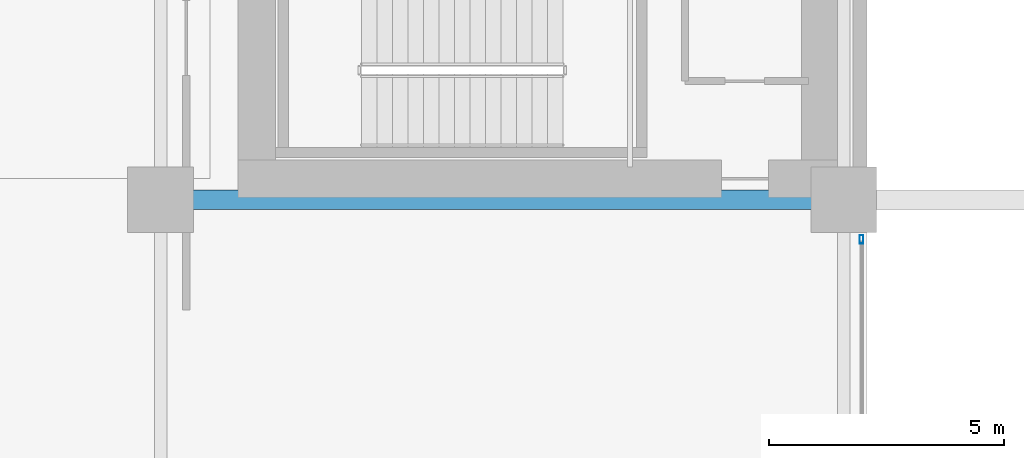
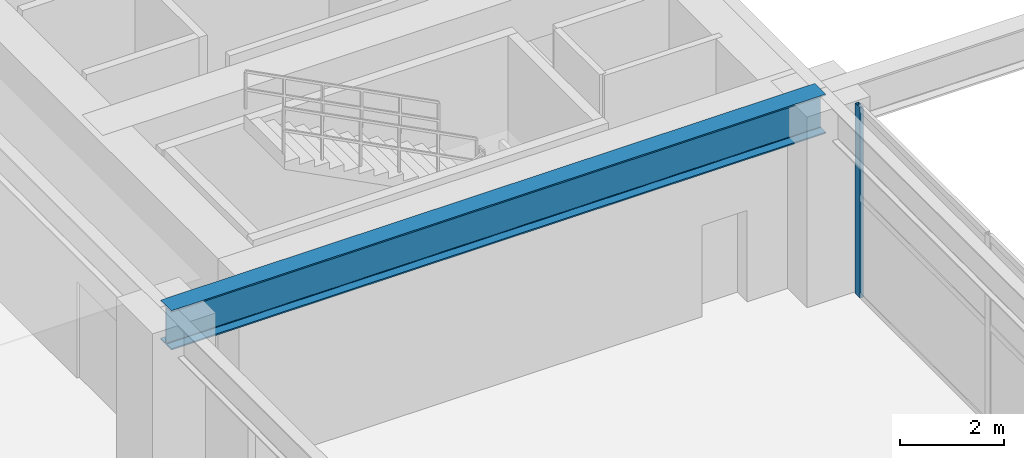
# One storey, part 7 of 30: 1 beam, 1 member, 1 element without a shape of its own.
"""IFC4 building model written with IfcOpenShell, lengths in metres."""

from ifc_helpers import new_model, si_unit, direction, frame, origin, origin_2d, place, context, subcontext, project, spatial, hollow_rectangle, i_section, extrude, source, transform, mapped, material, layer, layer_set, material_profile, profile_set, type_object, element, aggregate, save


model = new_model("IFC4")

# Units and contexts
model_context = context("Model", 3, precision=1e-05, world=origin(), true_north=direction((0.0, 1.0)))
body_context = subcontext(model_context, "Body", "Model", "MODEL_VIEW")
ifc_project = project(units=[si_unit("LENGTHUNIT", "METRE"), si_unit("AREAUNIT", "SQUARE_METRE"), si_unit("VOLUMEUNIT", "CUBIC_METRE"), si_unit("PLANEANGLEUNIT", "RADIAN"), si_unit("MASSUNIT", "GRAM", prefix="KILO")], contexts=[model_context])

# Site, building, storey
site_placement = place(None, origin())
site = spatial("IfcSite", under=ifc_project, at=site_placement, CompositionType="ELEMENT")
building_placement = place(site_placement, origin())
building = spatial("IfcBuilding", under=site, at=building_placement, Name="Ocotamira Hotel", CompositionType="ELEMENT")
storey_placement = place(building_placement, frame((0.0, 0.0, 19.199951171875)))
storey = spatial("IfcBuildingStorey", under=building, at=storey_placement, Name="L04", CompositionType="ELEMENT", Elevation=19.199951171875)

# Beam
ifc_material_1 = material(Name="Steel ASTM A992 Grade 50", Category="steel")
ifc_material_profile_1 = material_profile(ifc_material_1, i_section(OverallWidth=0.41796875, OverallDepth=0.927001953125, WebThickness=0.019287109375, FlangeThickness=0.031982421875, FilletRadius=0.02392578125, at=origin_2d()), Name="W36X231")
ifc_profile_set_1 = profile_set([ifc_material_profile_1], Name="Steel ASTM A992 Grade 50")
beam_type = type_object("IfcBeamType", Name="BM-GIRD-W36X231", PredefinedType="BEAM", material=ifc_profile_set_1)
shared_shape_1 = source(origin(), body_context, "Body", "SweptSolid", [
    extrude(i_section(OverallWidth=0.41796875, OverallDepth=0.927001953125, WebThickness=0.019287109375, FlangeThickness=0.031982421875, FilletRadius=0.02392578125, at=origin_2d()), origin(), (0.0, 0.0, 1.0), 14.550048828125),
])
beam_placement = place(storey_placement, frame((8.949951171875, 14.550048828125, 4.0166015625), z_axis=(1.0, 0.0, 0.0), x_axis=(0.0, 1.0, 0.0)))
element("IfcBeam", 1, at=beam_placement, inside=storey, type_object=beam_type, Name="L04 Girder Y14.55 X8.95-23.5", PredefinedType="BEAM", context=body_context, shape_type="MappedRepresentation", body=[
    mapped(shared_shape_1, transform((0.0, 0.0, 0.0), scale=1.0)),
])

# Curtain wall, member
ifc_material_2 = material(Name="Anodised pale-metal aluminium and solar glass", Category="aluminium")
ifc_layer = layer(ifc_material_2, 0.219970703125)
ifc_layer_set = layer_set([ifc_layer], Name="Anodised pale-metal aluminium and solar glass")
curtain_wall_type = type_object("IfcCurtainWallType", Name="CW-SYS1-POD", PredefinedType="NOTDEFINED", material=ifc_layer_set)
curtain_wall_placement = place(storey_placement, origin())
curtain_wall = element("IfcCurtainWall", 2, at=curtain_wall_placement, inside=storey, type_object=curtain_wall_type, Name="L04 Curtain Wall CW-1 CW-L04-AW-S", PredefinedType="NOTDEFINED")
ifc_material_3 = material(Name="Anodised pale-metal aluminium 6063-T6", Category="aluminium")
ifc_material_profile_2 = material_profile(ifc_material_3, hollow_rectangle(XDim=0.080078125, YDim=0.179931640625, WallThickness=0.006103515625, at=origin_2d()), Name="HSS180X80X6")
ifc_profile_set_2 = profile_set([ifc_material_profile_2], Name="Anodised pale-metal aluminium 6063-T6")
member_type = type_object("IfcMemberType", Name="CWM-180X75", PredefinedType="MULLION", material=ifc_profile_set_2)
shared_shape_2 = source(origin(), body_context, "Body", "SweptSolid", [
    extrude(hollow_rectangle(XDim=0.080078125, YDim=0.179931640625, WallThickness=0.006103515625, at=origin_2d()), origin(), (0.0, 0.0, 1.0), 4.47998046875),
])
member_placement = place(storey_placement, frame((23.8798828125, 13.7099609375, 0.0), z_axis=(0.0, 0.0, 1.0), x_axis=(-1.0, 0.0, 0.0)))
member = element("IfcMember", 3, at=member_placement, type_object=member_type, Name="CW-1 mullion 3", PredefinedType="MULLION", context=body_context, shape_type="MappedRepresentation", body=[
    mapped(shared_shape_2, transform((0.0, 0.0, 0.0), scale=1.0)),
])
aggregate(curtain_wall, [member])

save(model, "model.ifc")
